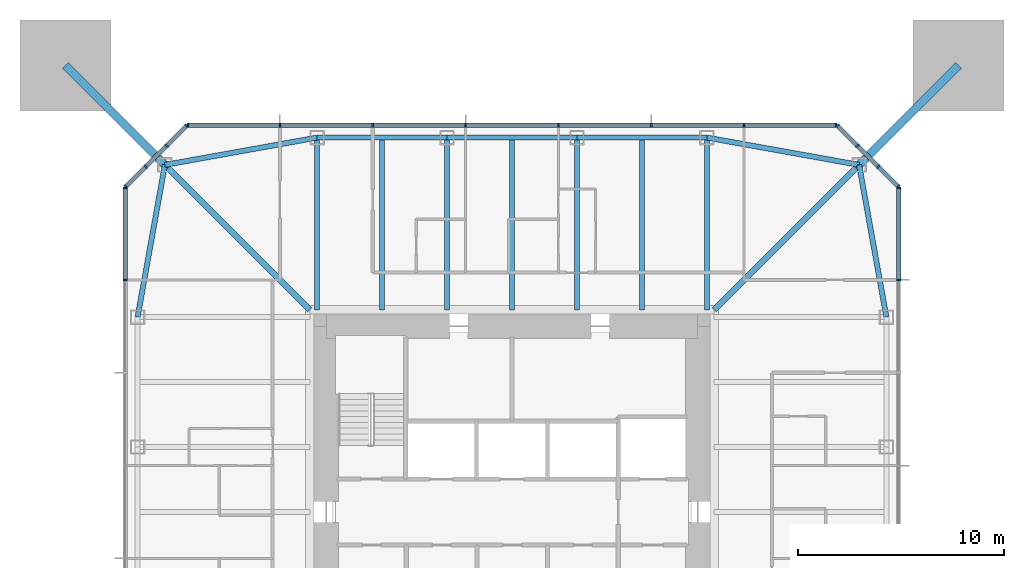
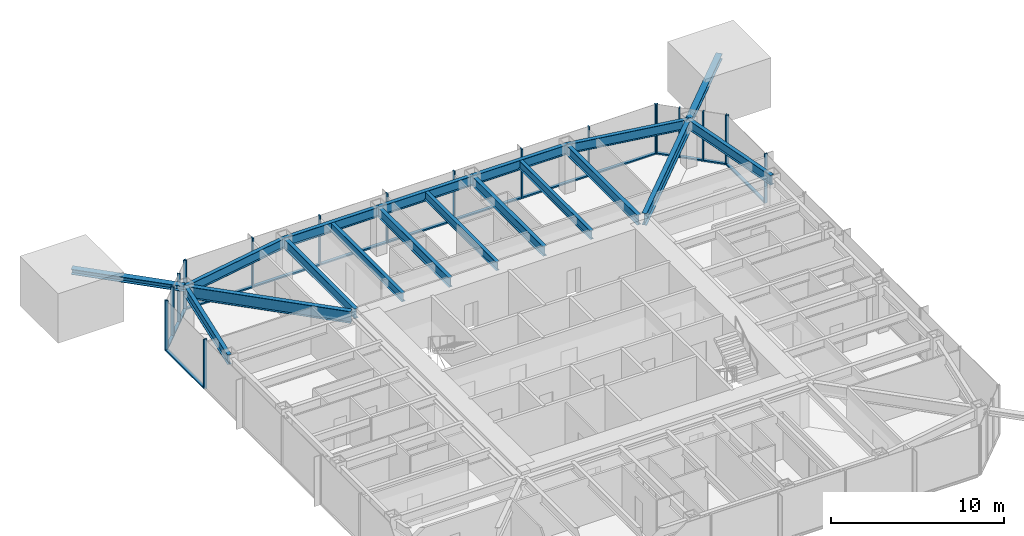
# One storey, part 4 of 11: 37 members, 16 beams, 5 elements without a shape of their own.
"""IFC4 building model written with IfcOpenShell, lengths in metres."""

from ifc_helpers import new_model, si_unit, direction, frame, origin, origin_2d, place, context, subcontext, project, spatial, rectangle, i_section, extrude, material, material_profile, profile_set, type_object, element, aggregate, save


model = new_model("IFC4")

# Units and contexts
model_context = context("Model", 3, precision=1e-05, world=origin(), true_north=direction((0.0, 1.0)))
body_context = subcontext(model_context, "Body", "Model", "MODEL_VIEW")
ifc_project = project(units=[si_unit("LENGTHUNIT", "METRE"), si_unit("AREAUNIT", "SQUARE_METRE"), si_unit("VOLUMEUNIT", "CUBIC_METRE"), si_unit("PLANEANGLEUNIT", "RADIAN"), si_unit("MASSUNIT", "GRAM", prefix="KILO")], contexts=[model_context])

# Site, building, storey
site_placement = place(None, origin())
site = spatial("IfcSite", under=ifc_project, at=site_placement, CompositionType="ELEMENT")
building_placement = place(site_placement, origin())
building = spatial("IfcBuilding", under=site, at=building_placement, Name="Iwan Alto Co-Living Towers", CompositionType="ELEMENT")
storey_placement = place(building_placement, frame((0.0, 0.0, 170.5)))
storey = spatial("IfcBuildingStorey", under=building, at=storey_placement, Name="L46", CompositionType="ELEMENT", Elevation=170.5)

# Curtain wall, members
ifc_material_1 = material(Name="Bronze aluminium unitised frame", Category="aluminium")
curtain_wall_type_1 = type_object("IfcCurtainWallType", Name="CURTAIN WALL CW-A", PredefinedType="NOTDEFINED", material=ifc_material_1)
curtain_wall_1_placement = place(storey_placement, origin())
curtain_wall_1 = element("IfcCurtainWall", 1, at=curtain_wall_1_placement, inside=storey, type_object=curtain_wall_type_1, Name="T1 curtain wall E L46", PredefinedType="NOTDEFINED")
ifc_material_2 = material(Name="Aluminium 6063-T6 bronze anodised", Category="aluminium")
ifc_material_profile_1 = material_profile(ifc_material_2, rectangle(XDim=0.199951171875, YDim=0.080078125, at=origin_2d()), Name="AL 80X200")
ifc_profile_set_1 = profile_set([ifc_material_profile_1], Name="Aluminium 6063-T6 bronze anodised")
member_type_1 = type_object("IfcMemberType", Name="CW-A MULLION 80X200", PredefinedType="MULLION", material=ifc_profile_set_1)
member_1_placement = place(storey_placement, frame((18.75, 11.25, 0.0), z_axis=(0.0, 0.0, 1.0), x_axis=(-1.0, 0.0, 0.0)))
member_1 = element("IfcMember", 2, at=member_1_placement, type_object=member_type_1, Name="CW-A mullion 7", PredefinedType="MULLION", context=body_context, shape_type="SweptSolid", body=[
    extrude(rectangle(XDim=0.199951171875, YDim=0.080078125, at=origin_2d()), origin(), (0.0, 0.0, 1.0), 3.5),
])
member_2_placement = place(storey_placement, frame((18.75, 15.7099609375, 0.0), z_axis=(0.0, 0.0, 1.0), x_axis=(-1.0, 0.0, 0.0)))
member_2 = element("IfcMember", 3, at=member_2_placement, type_object=member_type_1, Name="CW-A mullion 8", PredefinedType="MULLION", context=body_context, shape_type="SweptSolid", body=[
    extrude(rectangle(XDim=0.199951171875, YDim=0.080078125, at=origin_2d()), origin(), (0.0, 0.0, 1.0), 3.5),
])

curtain_wall_2_placement = place(storey_placement, origin())
curtain_wall_2 = element("IfcCurtainWall", 4, at=curtain_wall_2_placement, inside=storey, type_object=curtain_wall_type_1, Name="T1 curtain wall N L46", PredefinedType="NOTDEFINED")
member_3_placement = place(storey_placement, frame((15.7099609375, 18.75, 0.0), z_axis=(0.0, 0.0, 1.0), x_axis=(0.0, -1.0, 0.0)))
member_3 = element("IfcMember", 5, at=member_3_placement, type_object=member_type_1, Name="CW-A mullion 1", PredefinedType="MULLION", context=body_context, shape_type="SweptSolid", body=[
    extrude(rectangle(XDim=0.199951171875, YDim=0.080078125, at=origin_2d()), origin(), (0.0, 0.0, 1.0), 3.5),
])
member_4_placement = place(storey_placement, frame((11.25, 18.75, 0.0), z_axis=(0.0, 0.0, 1.0), x_axis=(0.0, -1.0, 0.0)))
member_4 = element("IfcMember", 6, at=member_4_placement, type_object=member_type_1, Name="CW-A mullion 2", PredefinedType="MULLION", context=body_context, shape_type="SweptSolid", body=[
    extrude(rectangle(XDim=0.199951171875, YDim=0.080078125, at=origin_2d()), origin(), (0.0, 0.0, 1.0), 3.5),
])
member_5_placement = place(storey_placement, frame((6.75, 18.75, 0.0), z_axis=(0.0, 0.0, 1.0), x_axis=(0.0, -1.0, 0.0)))
member_5 = element("IfcMember", 7, at=member_5_placement, type_object=member_type_1, Name="CW-A mullion 3", PredefinedType="MULLION", context=body_context, shape_type="SweptSolid", body=[
    extrude(rectangle(XDim=0.199951171875, YDim=0.080078125, at=origin_2d()), origin(), (0.0, 0.0, 1.0), 3.5),
])
member_6_placement = place(storey_placement, frame((2.25, 18.75, 0.0), z_axis=(0.0, 0.0, 1.0), x_axis=(0.0, -1.0, 0.0)))
member_6 = element("IfcMember", 8, at=member_6_placement, type_object=member_type_1, Name="CW-A mullion 4", PredefinedType="MULLION", context=body_context, shape_type="SweptSolid", body=[
    extrude(rectangle(XDim=0.199951171875, YDim=0.080078125, at=origin_2d()), origin(), (0.0, 0.0, 1.0), 3.5),
])
member_7_placement = place(storey_placement, frame((-2.25, 18.75, 0.0), z_axis=(0.0, 0.0, 1.0), x_axis=(0.0, -1.0, 0.0)))
member_7 = element("IfcMember", 9, at=member_7_placement, type_object=member_type_1, Name="CW-A mullion 5", PredefinedType="MULLION", context=body_context, shape_type="SweptSolid", body=[
    extrude(rectangle(XDim=0.199951171875, YDim=0.080078125, at=origin_2d()), origin(), (0.0, 0.0, 1.0), 3.5),
])
member_8_placement = place(storey_placement, frame((-6.75, 18.75, 0.0), z_axis=(0.0, 0.0, 1.0), x_axis=(0.0, -1.0, 0.0)))
member_8 = element("IfcMember", 10, at=member_8_placement, type_object=member_type_1, Name="CW-A mullion 6", PredefinedType="MULLION", context=body_context, shape_type="SweptSolid", body=[
    extrude(rectangle(XDim=0.199951171875, YDim=0.080078125, at=origin_2d()), origin(), (0.0, 0.0, 1.0), 3.5),
])
member_9_placement = place(storey_placement, frame((-11.25, 18.75, 0.0), z_axis=(0.0, 0.0, 1.0), x_axis=(0.0, -1.0, 0.0)))
member_9 = element("IfcMember", 11, at=member_9_placement, type_object=member_type_1, Name="CW-A mullion 7", PredefinedType="MULLION", context=body_context, shape_type="SweptSolid", body=[
    extrude(rectangle(XDim=0.199951171875, YDim=0.080078125, at=origin_2d()), origin(), (0.0, 0.0, 1.0), 3.5),
])
member_10_placement = place(storey_placement, frame((-15.7099609375, 18.75, 0.0), z_axis=(0.0, 0.0, 1.0), x_axis=(0.0, -1.0, 0.0)))
member_10 = element("IfcMember", 12, at=member_10_placement, type_object=member_type_1, Name="CW-A mullion 8", PredefinedType="MULLION", context=body_context, shape_type="SweptSolid", body=[
    extrude(rectangle(XDim=0.199951171875, YDim=0.080078125, at=origin_2d()), origin(), (0.0, 0.0, 1.0), 3.5),
])

curtain_wall_3_placement = place(storey_placement, origin())
curtain_wall_3 = element("IfcCurtainWall", 13, at=curtain_wall_3_placement, inside=storey, type_object=curtain_wall_type_1, Name="T1 curtain wall W L46", PredefinedType="NOTDEFINED")
member_11_placement = place(storey_placement, frame((-18.75, 15.7099609375, 0.0), z_axis=(0.0, 0.0, 1.0), x_axis=(1.0, 0.0, 0.0)))
member_11 = element("IfcMember", 14, at=member_11_placement, type_object=member_type_1, Name="CW-A mullion 1", PredefinedType="MULLION", context=body_context, shape_type="SweptSolid", body=[
    extrude(rectangle(XDim=0.199951171875, YDim=0.080078125, at=origin_2d()), origin(), (0.0, 0.0, 1.0), 3.5),
])
member_12_placement = place(storey_placement, frame((-18.75, 11.25, 0.0), z_axis=(0.0, 0.0, 1.0), x_axis=(1.0, 0.0, 0.0)))
member_12 = element("IfcMember", 15, at=member_12_placement, type_object=member_type_1, Name="CW-A mullion 2", PredefinedType="MULLION", context=body_context, shape_type="SweptSolid", body=[
    extrude(rectangle(XDim=0.199951171875, YDim=0.080078125, at=origin_2d()), origin(), (0.0, 0.0, 1.0), 3.5),
])

# Member
ifc_material_3 = material(Name="Aluminium 6063-T6 bronze anodised", Category="aluminium")
ifc_material_profile_2 = material_profile(ifc_material_3, rectangle(XDim=0.199951171875, YDim=0.10009765625, at=origin_2d()), Name="AL 200X100")
ifc_profile_set_2 = profile_set([ifc_material_profile_2], Name="Aluminium 6063-T6 bronze anodised")
member_type_2 = type_object("IfcMemberType", Name="CW-A TRANSOM 200X100", PredefinedType="USERDEFINED", material=ifc_profile_set_2)
member_13_placement = place(storey_placement, frame((18.75, 11.2900390625, 0.050048828125), z_axis=(0.0, 1.0, 0.0), x_axis=(-1.0, 0.0, 0.0)))
member_13 = element("IfcMember", 16, at=member_13_placement, type_object=member_type_2, Name="CW-A transom 7.1", ObjectType="TRANSOM", PredefinedType="USERDEFINED", context=body_context, shape_type="SweptSolid", body=[
    extrude(rectangle(XDim=0.199951171875, YDim=0.10009765625, at=origin_2d()), origin(), (0.0, 0.0, 1.0), 4.3798828125),
])

aggregate(curtain_wall_1, [member_1, member_2, member_13])

member_14_placement = place(storey_placement, frame((15.669921875, 18.75, 0.050048828125), z_axis=(-1.0, 0.0, 0.0), x_axis=(0.0, -1.0, 0.0)))
member_14 = element("IfcMember", 17, at=member_14_placement, type_object=member_type_2, Name="CW-A transom 1.1", ObjectType="TRANSOM", PredefinedType="USERDEFINED", context=body_context, shape_type="SweptSolid", body=[
    extrude(rectangle(XDim=0.199951171875, YDim=0.10009765625, at=origin_2d()), origin(), (0.0, 0.0, 1.0), 4.3798828125),
])

member_15_placement = place(storey_placement, frame((11.2099609375, 18.75, 0.050048828125), z_axis=(-1.0, 0.0, 0.0), x_axis=(0.0, -1.0, 0.0)))
member_15 = element("IfcMember", 18, at=member_15_placement, type_object=member_type_2, Name="CW-A transom 2.1", ObjectType="TRANSOM", PredefinedType="USERDEFINED", context=body_context, shape_type="SweptSolid", body=[
    extrude(rectangle(XDim=0.199951171875, YDim=0.10009765625, at=origin_2d()), origin(), (0.0, 0.0, 1.0), 4.419921875),
])

member_16_placement = place(storey_placement, frame((6.7099609375, 18.75, 0.050048828125), z_axis=(-1.0, 0.0, 0.0), x_axis=(0.0, -1.0, 0.0)))
member_16 = element("IfcMember", 19, at=member_16_placement, type_object=member_type_2, Name="CW-A transom 3.1", ObjectType="TRANSOM", PredefinedType="USERDEFINED", context=body_context, shape_type="SweptSolid", body=[
    extrude(rectangle(XDim=0.199951171875, YDim=0.10009765625, at=origin_2d()), origin(), (0.0, 0.0, 1.0), 4.419921875),
])

member_17_placement = place(storey_placement, frame((2.2099609375, 18.75, 0.050048828125), z_axis=(-1.0, 0.0, 0.0), x_axis=(0.0, -1.0, 0.0)))
member_17 = element("IfcMember", 20, at=member_17_placement, type_object=member_type_2, Name="CW-A transom 4.1", ObjectType="TRANSOM", PredefinedType="USERDEFINED", context=body_context, shape_type="SweptSolid", body=[
    extrude(rectangle(XDim=0.199951171875, YDim=0.10009765625, at=origin_2d()), origin(), (0.0, 0.0, 1.0), 4.419921875),
])

member_18_placement = place(storey_placement, frame((-2.2900390625, 18.75, 0.050048828125), z_axis=(-1.0, 0.0, 0.0), x_axis=(0.0, -1.0, 0.0)))
member_18 = element("IfcMember", 21, at=member_18_placement, type_object=member_type_2, Name="CW-A transom 5.1", ObjectType="TRANSOM", PredefinedType="USERDEFINED", context=body_context, shape_type="SweptSolid", body=[
    extrude(rectangle(XDim=0.199951171875, YDim=0.10009765625, at=origin_2d()), origin(), (0.0, 0.0, 1.0), 4.419921875),
])

member_19_placement = place(storey_placement, frame((-6.7900390625, 18.75, 0.050048828125), z_axis=(-1.0, 0.0, 0.0), x_axis=(0.0, -1.0, 0.0)))
member_19 = element("IfcMember", 22, at=member_19_placement, type_object=member_type_2, Name="CW-A transom 6.1", ObjectType="TRANSOM", PredefinedType="USERDEFINED", context=body_context, shape_type="SweptSolid", body=[
    extrude(rectangle(XDim=0.199951171875, YDim=0.10009765625, at=origin_2d()), origin(), (0.0, 0.0, 1.0), 4.419921875),
])

member_20_placement = place(storey_placement, frame((-11.2900390625, 18.75, 0.050048828125), z_axis=(-1.0, 0.0, 0.0), x_axis=(0.0, -1.0, 0.0)))
member_20 = element("IfcMember", 23, at=member_20_placement, type_object=member_type_2, Name="CW-A transom 7.1", ObjectType="TRANSOM", PredefinedType="USERDEFINED", context=body_context, shape_type="SweptSolid", body=[
    extrude(rectangle(XDim=0.199951171875, YDim=0.10009765625, at=origin_2d()), origin(), (0.0, 0.0, 1.0), 4.3798828125),
])

aggregate(curtain_wall_2, [member_3, member_4, member_5, member_6, member_7, member_8, member_9, member_10, member_14, member_15, member_16, member_17, member_18, member_19, member_20])

member_21_placement = place(storey_placement, frame((-18.75, 15.669921875, 0.050048828125), z_axis=(0.0, -1.0, 0.0), x_axis=(1.0, 0.0, 0.0)))
member_21 = element("IfcMember", 24, at=member_21_placement, type_object=member_type_2, Name="CW-A transom 1.1", ObjectType="TRANSOM", PredefinedType="USERDEFINED", context=body_context, shape_type="SweptSolid", body=[
    extrude(rectangle(XDim=0.199951171875, YDim=0.10009765625, at=origin_2d()), origin(), (0.0, 0.0, 1.0), 4.3798828125),
])

aggregate(curtain_wall_3, [member_11, member_12, member_21])

# Curtain wall, members
ifc_material_4 = material(Name="Bronze aluminium unitised frame", Category="aluminium")
curtain_wall_type_2 = type_object("IfcCurtainWallType", Name="CURTAIN WALL CW-B", PredefinedType="NOTDEFINED", material=ifc_material_4)
curtain_wall_4_placement = place(storey_placement, origin())
curtain_wall_4 = element("IfcCurtainWall", 25, at=curtain_wall_4_placement, inside=storey, type_object=curtain_wall_type_2, Name="T1 chamfer curtain wall NE L46", PredefinedType="NOTDEFINED")
ifc_material_5 = material(Name="Aluminium 6063-T6 bronze anodised", Category="aluminium")
ifc_material_profile_3 = material_profile(ifc_material_5, rectangle(XDim=0.199951171875, YDim=0.080078125, at=origin_2d()), Name="AL 80X200")
ifc_profile_set_3 = profile_set([ifc_material_profile_3], Name="Aluminium 6063-T6 bronze anodised")
member_type_3 = type_object("IfcMemberType", Name="CW-B MULLION 80X200", PredefinedType="MULLION", material=ifc_profile_set_3)
member_22_placement = place(storey_placement, frame((18.7216796875, 15.7783203125, 0.0), z_axis=(0.0, 0.0, 1.0), x_axis=(-0.707106781187, -0.707106781187, 0.0)))
member_22 = element("IfcMember", 26, at=member_22_placement, type_object=member_type_3, Name="CW-B mullion 1", PredefinedType="MULLION", context=body_context, shape_type="SweptSolid", body=[
    extrude(rectangle(XDim=0.199951171875, YDim=0.080078125, at=origin_2d()), origin(), (0.0, 0.0, 1.0), 3.5),
])
member_23_placement = place(storey_placement, frame((17.75, 16.75, 0.0), z_axis=(0.0, 0.0, 1.0), x_axis=(-0.707106781187, -0.707106781187, 0.0)))
member_23 = element("IfcMember", 27, at=member_23_placement, type_object=member_type_3, Name="CW-B mullion 2", PredefinedType="MULLION", context=body_context, shape_type="SweptSolid", body=[
    extrude(rectangle(XDim=0.199951171875, YDim=0.080078125, at=origin_2d()), origin(), (0.0, 0.0, 1.0), 3.5),
])
member_24_placement = place(storey_placement, frame((16.75, 17.75, 0.0), z_axis=(0.0, 0.0, 1.0), x_axis=(-0.707106781187, -0.707106781187, 0.0)))
member_24 = element("IfcMember", 28, at=member_24_placement, type_object=member_type_3, Name="CW-B mullion 3", PredefinedType="MULLION", context=body_context, shape_type="SweptSolid", body=[
    extrude(rectangle(XDim=0.199951171875, YDim=0.080078125, at=origin_2d()), origin(), (0.0, 0.0, 1.0), 3.5),
])
member_25_placement = place(storey_placement, frame((15.7783203125, 18.7216796875, 0.0), z_axis=(0.0, 0.0, 1.0), x_axis=(-0.707106781187, -0.707106781187, 0.0)))
member_25 = element("IfcMember", 29, at=member_25_placement, type_object=member_type_3, Name="CW-B mullion 4", PredefinedType="MULLION", context=body_context, shape_type="SweptSolid", body=[
    extrude(rectangle(XDim=0.199951171875, YDim=0.080078125, at=origin_2d()), origin(), (0.0, 0.0, 1.0), 3.5),
])

curtain_wall_5_placement = place(storey_placement, origin())
curtain_wall_5 = element("IfcCurtainWall", 30, at=curtain_wall_5_placement, inside=storey, type_object=curtain_wall_type_2, Name="T1 chamfer curtain wall NW L46", PredefinedType="NOTDEFINED")
member_26_placement = place(storey_placement, frame((-15.7783203125, 18.7216796875, 0.0), z_axis=(0.0, 0.0, 1.0), x_axis=(0.707106781187, -0.707106781187, 0.0)))
member_26 = element("IfcMember", 31, at=member_26_placement, type_object=member_type_3, Name="CW-B mullion 1", PredefinedType="MULLION", context=body_context, shape_type="SweptSolid", body=[
    extrude(rectangle(XDim=0.199951171875, YDim=0.080078125, at=origin_2d()), origin(), (0.0, 0.0, 1.0), 3.5),
])
member_27_placement = place(storey_placement, frame((-16.75, 17.75, 0.0), z_axis=(0.0, 0.0, 1.0), x_axis=(0.707106781187, -0.707106781187, 0.0)))
member_27 = element("IfcMember", 32, at=member_27_placement, type_object=member_type_3, Name="CW-B mullion 2", PredefinedType="MULLION", context=body_context, shape_type="SweptSolid", body=[
    extrude(rectangle(XDim=0.199951171875, YDim=0.080078125, at=origin_2d()), origin(), (0.0, 0.0, 1.0), 3.5),
])
member_28_placement = place(storey_placement, frame((-17.75, 16.75, 0.0), z_axis=(0.0, 0.0, 1.0), x_axis=(0.707106781187, -0.707106781187, 0.0)))
member_28 = element("IfcMember", 33, at=member_28_placement, type_object=member_type_3, Name="CW-B mullion 3", PredefinedType="MULLION", context=body_context, shape_type="SweptSolid", body=[
    extrude(rectangle(XDim=0.199951171875, YDim=0.080078125, at=origin_2d()), origin(), (0.0, 0.0, 1.0), 3.5),
])
member_29_placement = place(storey_placement, frame((-18.7216796875, 15.7783203125, 0.0), z_axis=(0.0, 0.0, 1.0), x_axis=(0.707106781187, -0.707106781187, 0.0)))
member_29 = element("IfcMember", 34, at=member_29_placement, type_object=member_type_3, Name="CW-B mullion 4", PredefinedType="MULLION", context=body_context, shape_type="SweptSolid", body=[
    extrude(rectangle(XDim=0.199951171875, YDim=0.080078125, at=origin_2d()), origin(), (0.0, 0.0, 1.0), 3.5),
])

# Member
ifc_material_6 = material(Name="Aluminium 6063-T6 bronze anodised", Category="aluminium")
ifc_material_profile_4 = material_profile(ifc_material_6, rectangle(XDim=0.199951171875, YDim=0.10009765625, at=origin_2d()), Name="AL 200X100")
ifc_profile_set_4 = profile_set([ifc_material_profile_4], Name="Aluminium 6063-T6 bronze anodised")
member_type_4 = type_object("IfcMemberType", Name="CW-B TRANSOM 200X100", PredefinedType="USERDEFINED", material=ifc_profile_set_4)
member_30_placement = place(storey_placement, frame((18.693359375, 15.806640625, 0.050048828125), z_axis=(-0.707106781187, 0.707106781187, 0.0), x_axis=(-0.707106781187, -0.707106781187, 0.0)))
member_30 = element("IfcMember", 35, at=member_30_placement, type_object=member_type_4, Name="CW-B transom 1.1", ObjectType="TRANSOM", PredefinedType="USERDEFINED", context=body_context, shape_type="SweptSolid", body=[
    extrude(rectangle(XDim=0.199951171875, YDim=0.10009765625, at=origin_2d()), origin(), (0.0, 0.0, 1.0), 1.2939453125),
])

member_31_placement = place(storey_placement, frame((17.7216796875, 16.7783203125, 0.050048828125), z_axis=(-0.707106781187, 0.707106781187, 0.0), x_axis=(-0.707106781187, -0.707106781187, 0.0)))
member_31 = element("IfcMember", 36, at=member_31_placement, type_object=member_type_4, Name="CW-B transom 2.1", ObjectType="TRANSOM", PredefinedType="USERDEFINED", context=body_context, shape_type="SweptSolid", body=[
    extrude(rectangle(XDim=0.199951171875, YDim=0.10009765625, at=origin_2d()), origin(), (0.0, 0.0, 1.0), 1.334228515625),
])

member_32_placement = place(storey_placement, frame((16.7216796875, 17.7783203125, 0.050048828125), z_axis=(-0.707106781187, 0.707106781187, 0.0), x_axis=(-0.707106781187, -0.707106781187, 0.0)))
member_32 = element("IfcMember", 37, at=member_32_placement, type_object=member_type_4, Name="CW-B transom 3.1", ObjectType="TRANSOM", PredefinedType="USERDEFINED", context=body_context, shape_type="SweptSolid", body=[
    extrude(rectangle(XDim=0.199951171875, YDim=0.10009765625, at=origin_2d()), origin(), (0.0, 0.0, 1.0), 1.2939453125),
])

aggregate(curtain_wall_4, [member_22, member_23, member_24, member_25, member_30, member_31, member_32])

member_33_placement = place(storey_placement, frame((-15.806640625, 18.693359375, 0.050048828125), z_axis=(-0.707106781187, -0.707106781187, 0.0), x_axis=(0.707106781187, -0.707106781187, 0.0)))
member_33 = element("IfcMember", 38, at=member_33_placement, type_object=member_type_4, Name="CW-B transom 1.1", ObjectType="TRANSOM", PredefinedType="USERDEFINED", context=body_context, shape_type="SweptSolid", body=[
    extrude(rectangle(XDim=0.199951171875, YDim=0.10009765625, at=origin_2d()), origin(), (0.0, 0.0, 1.0), 1.2939453125),
])

member_34_placement = place(storey_placement, frame((-16.7783203125, 17.7216796875, 0.050048828125), z_axis=(-0.707106781187, -0.707106781187, 0.0), x_axis=(0.707106781187, -0.707106781187, 0.0)))
member_34 = element("IfcMember", 39, at=member_34_placement, type_object=member_type_4, Name="CW-B transom 2.1", ObjectType="TRANSOM", PredefinedType="USERDEFINED", context=body_context, shape_type="SweptSolid", body=[
    extrude(rectangle(XDim=0.199951171875, YDim=0.10009765625, at=origin_2d()), origin(), (0.0, 0.0, 1.0), 1.334228515625),
])

member_35_placement = place(storey_placement, frame((-17.7783203125, 16.7216796875, 0.050048828125), z_axis=(-0.707106781187, -0.707106781187, 0.0), x_axis=(0.707106781187, -0.707106781187, 0.0)))
member_35 = element("IfcMember", 40, at=member_35_placement, type_object=member_type_4, Name="CW-B transom 3.1", ObjectType="TRANSOM", PredefinedType="USERDEFINED", context=body_context, shape_type="SweptSolid", body=[
    extrude(rectangle(XDim=0.199951171875, YDim=0.10009765625, at=origin_2d()), origin(), (0.0, 0.0, 1.0), 1.2939453125),
])

aggregate(curtain_wall_5, [member_26, member_27, member_28, member_29, member_33, member_34, member_35])

# Beams
ifc_material_7 = material(Name="Steel ASTM A992 Gr 50", Category="steel")
ifc_material_profile_5 = material_profile(ifc_material_7, i_section(OverallWidth=0.2919921875, OverallDepth=0.8408203125, WebThickness=0.0146484375, FlangeThickness=0.021728515625, at=origin_2d()), Name="W33X130")
ifc_profile_set_5 = profile_set([ifc_material_profile_5], Name="Steel ASTM A992 Gr 50")
beam_type_1 = type_object("IfcBeamType", Name="T1 CORNER GIRDER W33X130", PredefinedType="BEAM", material=ifc_profile_set_5)
for number, where, z_axis, x_axis, name in (
    (41, (16.82568359375, 16.82568359375, 2.849609375), (-0.707106781187, -0.707106781187, 0.0), (0.707106781187, -0.707106781187, 0.0), "T1 corner girder CNE L47"),
    (42, (-16.82568359375, 16.82568359375, 2.849609375), (0.707106781187, -0.707106781187, 0.0), (0.707106781187, 0.707106781187, 0.0), "T1 corner girder CNW L47"),
):
    element("IfcBeam", number, at=place(storey_placement, frame(where, z_axis=z_axis, x_axis=x_axis)), inside=storey, type_object=beam_type_1, Name=name, PredefinedType="BEAM", context=body_context, shape_type="SweptSolid", body=[
        extrude(i_section(OverallWidth=0.2919921875, OverallDepth=0.8408203125, WebThickness=0.0146484375, FlangeThickness=0.021728515625, at=origin_2d()), origin(), (0.0, 0.0, 1.0), 9.936767578125),
    ])
ifc_material_8 = material(Name="Steel ASTM A992 Gr 50", Category="steel")
ifc_material_profile_6 = material_profile(ifc_material_8, i_section(OverallWidth=0.25390625, OverallDepth=0.683349609375, WebThickness=0.012451171875, FlangeThickness=0.018798828125, at=origin_2d()), Name="W27X94")
ifc_profile_set_6 = profile_set([ifc_material_profile_6], Name="Steel ASTM A992 Gr 50")
beam_type_2 = type_object("IfcBeamType", Name="T1 EDGE BEAM W27X94", PredefinedType="BEAM", material=ifc_profile_set_6)
for number, where, z_axis, x_axis, name in (
    (43, (18.14990234375, 9.449951171875, 2.928466796875), (-0.17671181143, 0.98426263553, 0.0), (-0.98426263553, -0.17671181143, 0.0), "T1 edge beam E4 L47"),
    (44, (16.82568359375, 16.82568359375, 2.928466796875), (-0.98426263553, 0.17671181143, 0.0), (-0.17671181143, -0.98426263553, 0.0), "T1 edge beam CNE L47"),
):
    element("IfcBeam", number, at=place(storey_placement, frame(where, z_axis=z_axis, x_axis=x_axis)), inside=storey, type_object=beam_type_2, Name=name, PredefinedType="BEAM", context=body_context, shape_type="SweptSolid", body=[
        extrude(i_section(OverallWidth=0.25390625, OverallDepth=0.683349609375, WebThickness=0.012451171875, FlangeThickness=0.018798828125, at=origin_2d()), origin(), (0.0, 0.0, 1.0), 7.49365234375),
    ])
beam_1_placement = place(storey_placement, frame((9.449951171875, 18.14990234375, 2.928466796875), z_axis=(-1.0, 0.0, 0.0), x_axis=(0.0, -1.0, 0.0)))
element("IfcBeam", 45, at=beam_1_placement, inside=storey, type_object=beam_type_2, Name="T1 edge beam N1 L47", PredefinedType="BEAM", context=body_context, shape_type="SweptSolid", body=[
    extrude(i_section(OverallWidth=0.25390625, OverallDepth=0.683349609375, WebThickness=0.012451171875, FlangeThickness=0.018798828125, at=origin_2d()), origin(), (0.0, 0.0, 1.0), 6.300048828125),
])
beam_2_placement = place(storey_placement, frame((3.14990234375, 18.14990234375, 2.928466796875), z_axis=(-1.0, 0.0, 0.0), x_axis=(0.0, -1.0, 0.0)))
element("IfcBeam", 46, at=beam_2_placement, inside=storey, type_object=beam_type_2, Name="T1 edge beam N2 L47", PredefinedType="BEAM", context=body_context, shape_type="SweptSolid", body=[
    extrude(i_section(OverallWidth=0.25390625, OverallDepth=0.683349609375, WebThickness=0.012451171875, FlangeThickness=0.018798828125, at=origin_2d()), origin(), (0.0, 0.0, 1.0), 6.2998046875),
])
beam_3_placement = place(storey_placement, frame((-3.14990234375, 18.14990234375, 2.928466796875), z_axis=(-1.0, 0.0, 0.0), x_axis=(0.0, -1.0, 0.0)))
element("IfcBeam", 47, at=beam_3_placement, inside=storey, type_object=beam_type_2, Name="T1 edge beam N3 L47", PredefinedType="BEAM", context=body_context, shape_type="SweptSolid", body=[
    extrude(i_section(OverallWidth=0.25390625, OverallDepth=0.683349609375, WebThickness=0.012451171875, FlangeThickness=0.018798828125, at=origin_2d()), origin(), (0.0, 0.0, 1.0), 6.300048828125),
])
for number, where, z_axis, x_axis, name in (
    (48, (-9.449951171875, 18.14990234375, 2.928466796875), (-0.98426263553, -0.17671181143, 0.0), (0.17671181143, -0.98426263553, 0.0), "T1 edge beam N4 L47"),
    (49, (-16.82568359375, 16.82568359375, 2.928466796875), (-0.17671181143, -0.98426263553, 0.0), (0.98426263553, -0.17671181143, 0.0), "T1 edge beam CNW L47"),
):
    element("IfcBeam", number, at=place(storey_placement, frame(where, z_axis=z_axis, x_axis=x_axis)), inside=storey, type_object=beam_type_2, Name=name, PredefinedType="BEAM", context=body_context, shape_type="SweptSolid", body=[
        extrude(i_section(OverallWidth=0.25390625, OverallDepth=0.683349609375, WebThickness=0.012451171875, FlangeThickness=0.018798828125, at=origin_2d()), origin(), (0.0, 0.0, 1.0), 7.49365234375),
    ])

# Members
ifc_material_9 = material(Name="Steel ASTM A992 Gr 50", Category="steel")
ifc_material_profile_7 = material_profile(ifc_material_9, i_section(OverallWidth=0.393798828125, OverallDepth=0.3759765625, WebThickness=0.017333984375, FlangeThickness=0.027587890625, at=origin_2d()), Name="W14X145")
ifc_profile_set_7 = profile_set([ifc_material_profile_7], Name="Steel ASTM A992 Gr 50")
member_type_5 = type_object("IfcMemberType", Name="T1 MEGA COLUMN FLOOR TIE W14X145", PredefinedType="STRUT", material=ifc_profile_set_7)
for number, where, z_axis, x_axis, name in (
    (50, (21.64990234375, 21.64990234375, 3.08203125), (-0.707106781187, -0.707106781187, 0.0), (0.707106781187, -0.707106781187, 0.0), "T1 mega column floor tie NE L47"),
    (51, (-21.64990234375, 21.64990234375, 3.08203125), (0.707106781187, -0.707106781187, 0.0), (0.707106781187, 0.707106781187, 0.0), "T1 mega column floor tie NW L47"),
):
    element("IfcMember", number, at=place(storey_placement, frame(where, z_axis=z_axis, x_axis=x_axis)), inside=storey, type_object=member_type_5, Name=name, PredefinedType="STRUT", context=body_context, shape_type="SweptSolid", body=[
        extrude(i_section(OverallWidth=0.393798828125, OverallDepth=0.3759765625, WebThickness=0.017333984375, FlangeThickness=0.027587890625, at=origin_2d()), origin(), (0.0, 0.0, 1.0), 6.822509765625),
    ])

# Beams
ifc_material_10 = material(Name="Steel ASTM A992 Gr 50", Category="steel")
ifc_material_profile_8 = material_profile(ifc_material_10, i_section(OverallWidth=0.25390625, OverallDepth=0.683349609375, WebThickness=0.012451171875, FlangeThickness=0.018798828125, at=origin_2d()), Name="W27X94")
ifc_profile_set_8 = profile_set([ifc_material_profile_8], Name="Steel ASTM A992 Gr 50")
beam_type_3 = type_object("IfcBeamType", Name="T1 RADIAL BEAM W27X94", PredefinedType="BEAM", material=ifc_profile_set_8)
for number, where, z_axis, x_axis, name in (
    (52, (9.449951171875, 18.14990234375, 2.928466796875), (0.0, -1.0, 0.0), (1.0, 0.0, 0.0), "T1 radial beam N1 L47"),
    (53, (3.14990234375, 18.14990234375, 2.928466796875), (0.0, -1.0, 0.0), (1.0, 0.0, 0.0), "T1 radial beam N2 L47"),
    (54, (-3.14990234375, 18.14990234375, 2.928466796875), (0.0, -1.0, 0.0), (1.0, 0.0, 0.0), "T1 radial beam N3 L47"),
    (55, (-9.449951171875, 18.14990234375, 2.928466796875), (0.0, -1.0, 0.0), (1.0, 0.0, 0.0), "T1 radial beam N4 L47"),
):
    element("IfcBeam", number, at=place(storey_placement, frame(where, z_axis=z_axis, x_axis=x_axis)), inside=storey, type_object=beam_type_3, Name=name, PredefinedType="BEAM", context=body_context, shape_type="SweptSolid", body=[
        extrude(i_section(OverallWidth=0.25390625, OverallDepth=0.683349609375, WebThickness=0.012451171875, FlangeThickness=0.018798828125, at=origin_2d()), origin(), (0.0, 0.0, 1.0), 8.3505859375),
    ])
ifc_material_11 = material(Name="Steel ASTM A992 Gr 50", Category="steel")
ifc_material_profile_9 = material_profile(ifc_material_11, i_section(OverallWidth=0.228271484375, OverallDepth=0.607177734375, WebThickness=0.01123046875, FlangeThickness=0.017333984375, at=origin_2d()), Name="W24X76")
ifc_profile_set_9 = profile_set([ifc_material_profile_9], Name="Steel ASTM A992 Gr 50")
beam_type_4 = type_object("IfcBeamType", Name="T1 SECONDARY BEAM W24X76", PredefinedType="JOIST", material=ifc_profile_set_9)
for number, where, z_axis, x_axis, name in (
    (56, (6.300048828125, 18.14990234375, 2.966552734375), (0.0, -1.0, 0.0), (1.0, 0.0, 0.0), "T1 secondary beam N1 L47"),
    (57, (0.0, 18.14990234375, 2.966552734375), (0.0, -1.0, 0.0), (1.0, 0.0, 0.0), "T1 secondary beam N2 L47"),
    (58, (-6.300048828125, 18.14990234375, 2.966552734375), (0.0, -1.0, 0.0), (1.0, 0.0, 0.0), "T1 secondary beam N3 L47"),
):
    element("IfcBeam", number, at=place(storey_placement, frame(where, z_axis=z_axis, x_axis=x_axis)), inside=storey, type_object=beam_type_4, Name=name, PredefinedType="JOIST", context=body_context, shape_type="SweptSolid", body=[
        extrude(i_section(OverallWidth=0.228271484375, OverallDepth=0.607177734375, WebThickness=0.01123046875, FlangeThickness=0.017333984375, at=origin_2d()), origin(), (0.0, 0.0, 1.0), 8.3505859375),
    ])

save(model, "model.ifc")
